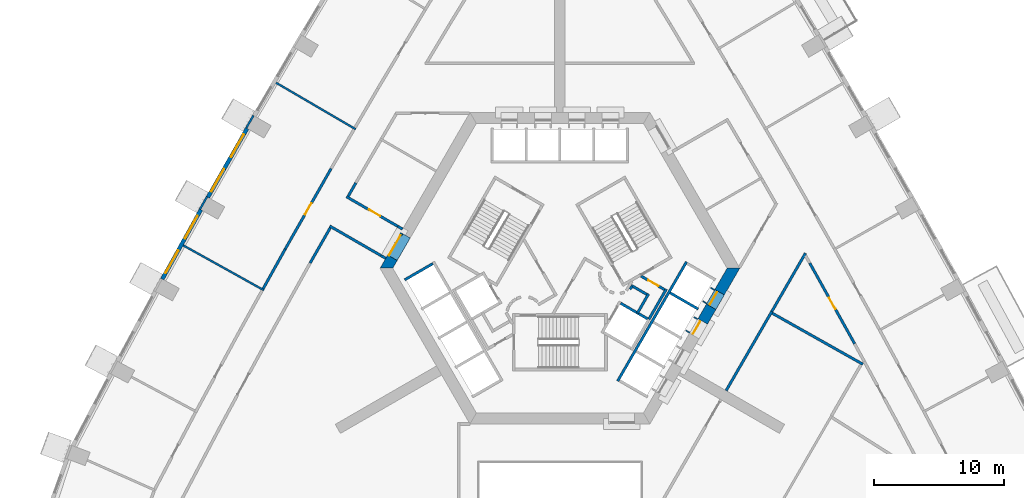
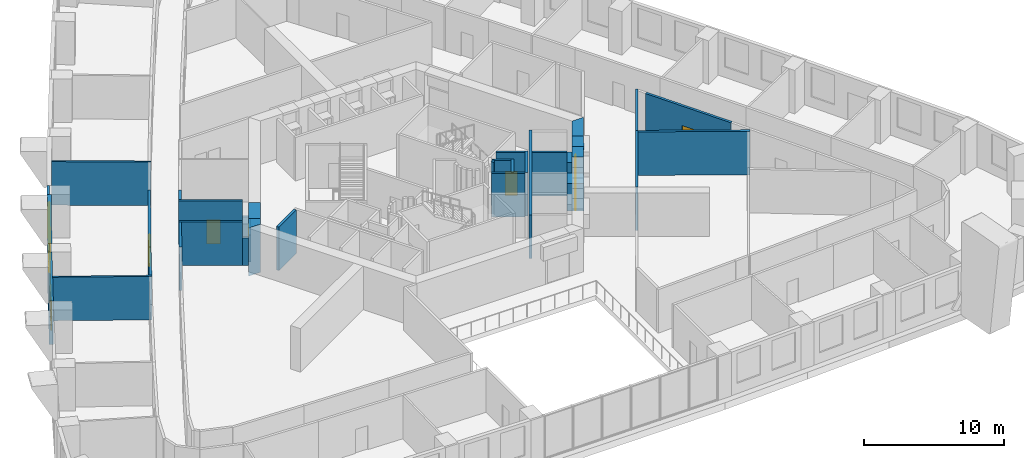
# One storey, part 7 of 15: 35 walls, 7 doors, 4 windows, 11 openings.
"""IFC4 building model written with IfcOpenShell, lengths in metres."""

from ifc_helpers import new_model, si_unit, direction, frame, frame_2d, origin, place, context, subcontext, project, spatial, polyline, rectangle, outline, extrude, material, layer, layer_set, type_object, element, fill, save


model = new_model("IFC4")

# Units and contexts
model_context = context("Model", 3, precision=1e-05, world=origin(), true_north=direction((0.0, 1.0)))
body_context = subcontext(model_context, "Body", "Model", "MODEL_VIEW")
ifc_project = project(units=[si_unit("LENGTHUNIT", "METRE"), si_unit("AREAUNIT", "SQUARE_METRE"), si_unit("VOLUMEUNIT", "CUBIC_METRE"), si_unit("PLANEANGLEUNIT", "RADIAN"), si_unit("MASSUNIT", "GRAM", prefix="KILO")], contexts=[model_context])

# Site, building, storey
site_placement = place(None, origin())
site = spatial("IfcSite", under=ifc_project, at=site_placement, CompositionType="ELEMENT")
building_placement = place(site_placement, origin())
building = spatial("IfcBuilding", under=site, at=building_placement, Name="Entoto Arch Interchange Tower", CompositionType="ELEMENT")
storey_placement = place(building_placement, frame((0.0, 0.0, 124.39990234375)))
storey = spatial("IfcBuildingStorey", under=building, at=storey_placement, Name="L27", CompositionType="ELEMENT", Elevation=124.39990234375)

# Wall, opening, door
ifc_material_1 = material(Name="Reinforced concrete C40/50", Category="concrete")
ifc_layer_1 = layer(ifc_material_1, 0.199951171875)
ifc_layer_set_1 = layer_set([ifc_layer_1], Name="Reinforced concrete C40/50")
wall_type_1 = type_object("IfcWallType", Name="CORE GAP INFILL WALL", PredefinedType="PARTITIONING", material=ifc_layer_set_1)
wall_1_placement = place(storey_placement, frame((-12.179931640625, 5.201904296875, 0.0), z_axis=(0.0, 0.0, 1.0), x_axis=(-0.50002537861, -0.866010750942, 0.0)))
wall_1 = element("IfcWall", 1, at=wall_1_placement, inside=storey, type_object=wall_type_1, Name="wall:L27:gap3", PredefinedType="PARTITIONING", context=body_context, shape_type="SweptSolid", body=[
    extrude(rectangle(XDim=2.0, YDim=0.199951171875, at=frame_2d((1.0, 0.0))), origin(), (0.0, 0.0, 1.0), 2.400146484375),
])
opening_1_placement = place(wall_1_placement, frame((0.18994140625, 0.0, 0.0)))
opening_1 = element("IfcOpeningElement", 2, at=opening_1_placement, cuts=wall_1, Name="Opening L27-D93", PredefinedType="OPENING", context=body_context, shape_type="SweptSolid", body=[
    extrude(rectangle(XDim=1.800048828125, YDim=2.10009765625, at=frame_2d((0.89990234375, 1.050048828125))), frame((0.0, 0.10986328125, 0.0), z_axis=(0.0, -1.0, 0.0), x_axis=(1.0, 0.0, 0.0)), (0.0, 0.0, 1.0), 0.219970703125),
])
ifc_material_2 = material(Name="Fire-rated Steel S235 door and frame", Category="steel")
door_type_1 = type_object("IfcDoorType", Name="DOOR FD-18 1800x2100", OperationType="DOUBLE_DOOR_SINGLE_SWING", PredefinedType="DOOR", material=ifc_material_2)
door_1_placement = place(opening_1_placement, origin())
door_1 = element("IfcDoor", 3, at=door_1_placement, inside=storey, type_object=door_type_1, Name="door:L27:gap3", OperationType="DOUBLE_DOOR_SINGLE_SWING", OverallHeight=2.10009765625, OverallWidth=1.800048828125, PredefinedType="DOOR", context=body_context, shape_type="SweptSolid", body=[
    extrude(rectangle(XDim=1.800048828125, YDim=2.10009765625, at=frame_2d((0.89990234375, 1.050048828125))), frame((0.0, 0.02490234375, 0.0), z_axis=(0.0, -1.0, 0.0), x_axis=(1.0, 0.0, 0.0)), (0.0, 0.0, 1.0), 0.050048828125),
])
fill(opening_1, door_1)

# Walls
ifc_material_3 = material(Name="Concrete C60/75", Category="concrete")
ifc_layer_2 = layer(ifc_material_3, 0.85009765625)
ifc_layer_set_2 = layer_set([ifc_layer_2], Name="Concrete C60/75")
wall_type_2 = type_object("IfcWallType", Name="Core wall 850 C60/75", PredefinedType="SHEAR", material=ifc_layer_set_2)
wall_2_placement = place(storey_placement, frame((0.0, 0.0, -0.39990234375)))
element("IfcWall", 4, at=wall_2_placement, inside=storey, type_object=wall_type_2, Name="Core wall NW L27", PredefinedType="SHEAR", context=body_context, shape_type="SweptSolid", body=[
    extrude(outline(polyline([(-12.531005859375, 3.094970703125), (-13.26708984375, 3.52001953125), (-13.85595703125, 2.5), (-12.875, 2.5), (-12.531005859375, 3.094970703125)])), origin(), (0.0, 0.0, 1.0), 4.199951171875),
])
wall_3_placement = place(storey_placement, frame((0.0, 0.0, 3.60009765625)))
element("IfcWall", 5, at=wall_3_placement, inside=storey, type_object=wall_type_2, Name="Core wall lintel NW L27", PredefinedType="SHEAR", context=body_context, shape_type="SweptSolid", body=[
    extrude(outline(polyline([(-13.26708984375, 3.52001953125), (-12.531005859375, 3.094970703125), (-11.531005859375, 4.826904296875), (-12.26708984375, 5.251953125), (-13.26708984375, 3.52001953125)])), origin(), (0.0, 0.0, 1.0), 0.199951171875),
])
wall_4_placement = place(storey_placement, frame((0.0, 0.0, -0.39990234375)))
element("IfcWall", 6, at=wall_4_placement, inside=storey, type_object=wall_type_2, Name="Core wall SE L27", PredefinedType="SHEAR", context=body_context, shape_type="SweptSolid", body=[
    extrude(outline(polyline([(12.01708984375, -0.68603515625), (11.281005859375, -0.260986328125), (10.631103515625, -1.385986328125), (11.366943359375, -1.81103515625), (12.01708984375, -0.68603515625)])), origin(), (0.0, 0.0, 1.0), 4.199951171875),
])
wall_5_placement = place(storey_placement, frame((0.0, 0.0, -0.39990234375)))
element("IfcWall", 7, at=wall_5_placement, inside=storey, type_object=wall_type_2, Name="Core wall SE L27", PredefinedType="SHEAR", context=body_context, shape_type="SweptSolid", body=[
    extrude(outline(polyline([(11.930908203125, 0.864990234375), (12.6669921875, 0.43994140625), (13.85595703125, 2.5), (12.875, 2.5), (11.930908203125, 0.864990234375)])), origin(), (0.0, 0.0, 1.0), 4.199951171875),
])
wall_6_placement = place(storey_placement, frame((0.0, 0.0, 3.60009765625)))
element("IfcWall", 8, at=wall_6_placement, inside=storey, type_object=wall_type_2, Name="Core wall lintel SE L27", PredefinedType="SHEAR", context=body_context, shape_type="SweptSolid", body=[
    extrude(outline(polyline([(12.6669921875, 0.43994140625), (11.930908203125, 0.864990234375), (11.281005859375, -0.260986328125), (12.01708984375, -0.68603515625), (12.6669921875, 0.43994140625)])), origin(), (0.0, 0.0, 1.0), 0.199951171875),
])

# Wall, opening, door
ifc_material_4 = material(Name="Concrete C40/50", Category="concrete")
ifc_layer_3 = layer(ifc_material_4, 1.199951171875)
ifc_layer_set_3 = layer_set([ifc_layer_3], Name="Concrete C40/50")
wall_type_3 = type_object("IfcWallType", Name="LIFT LANDING INFILL WALL", PredefinedType="STANDARD", material=ifc_layer_set_3)
wall_7_placement = place(storey_placement, frame((10.197998046875, -2.636962890625, 0.0), z_axis=(0.0, 0.0, 1.0), x_axis=(0.49989585183, 0.866085525409, 0.0)))
wall_7 = element("IfcWall", 9, at=wall_7_placement, inside=storey, type_object=wall_type_3, Name="Lift landing infill wall LR7 L27", PredefinedType="STANDARD", context=body_context, shape_type="SweptSolid", body=[
    extrude(rectangle(XDim=1.300048828125, YDim=1.199951171875, at=frame_2d((0.64990234375, 0.0))), origin(), (0.0, 0.0, 1.0), 2.400146484375),
])
opening_2_placement = place(wall_7_placement, frame((0.10009765625, 0.0, 0.0)))
opening_2 = element("IfcOpeningElement", 10, at=opening_2_placement, cuts=wall_7, Name="Opening LD-LR7-L27", PredefinedType="OPENING", context=body_context, shape_type="SweptSolid", body=[
    extrude(rectangle(XDim=1.10009765625, YDim=2.300048828125, at=frame_2d((0.550048828125, 1.14990234375))), frame((0.0, 0.60986328125, 0.0), z_axis=(0.0, -1.0, 0.0), x_axis=(1.0, 0.0, 0.0)), (0.0, 0.0, 1.0), 1.219970703125),
])
ifc_material_5 = material(Name="Stainless steel 1.4301 panels", Category="steel")
door_type_2 = type_object("IfcDoorType", Name="LIFT LANDING DOOR LD2 1100x2300", OperationType="SLIDING_TO_LEFT", PredefinedType="DOOR", material=ifc_material_5)
door_2_placement = place(opening_2_placement, origin())
door_2 = element("IfcDoor", 11, at=door_2_placement, inside=storey, type_object=door_type_2, Name="Lift landing door LR7 L27", OperationType="SLIDING_TO_LEFT", OverallHeight=2.300048828125, OverallWidth=1.10009765625, PredefinedType="DOOR", context=body_context, shape_type="SweptSolid", body=[
    extrude(rectangle(XDim=1.10009765625, YDim=2.300048828125, at=frame_2d((0.550048828125, 1.14990234375))), frame((0.0, 0.02490234375, 0.0), z_axis=(0.0, -1.0, 0.0), x_axis=(1.0, 0.0, 0.0)), (0.0, 0.0, 1.0), 0.050048828125),
])
fill(opening_2, door_2)

wall_8_placement = place(storey_placement, frame((11.498046875, -0.385009765625, 0.0), z_axis=(0.0, 0.0, 1.0), x_axis=(0.500221244143, 0.865897630733, 0.0)))
wall_8 = element("IfcWall", 12, at=wall_8_placement, inside=storey, type_object=wall_type_3, Name="Lift landing infill wall LR8 L27", PredefinedType="STANDARD", context=body_context, shape_type="SweptSolid", body=[
    extrude(rectangle(XDim=1.29931640625, YDim=1.199951171875, at=frame_2d((0.649658203125, 0.0))), origin(), (0.0, 0.0, 1.0), 2.400146484375),
])
opening_3_placement = place(wall_8_placement, frame((0.10009765625, 0.0, 0.0)))
opening_3 = element("IfcOpeningElement", 13, at=opening_3_placement, cuts=wall_8, Name="Opening LD-LR8-L27", PredefinedType="OPENING", context=body_context, shape_type="SweptSolid", body=[
    extrude(rectangle(XDim=1.10009765625, YDim=2.300048828125, at=frame_2d((0.550048828125, 1.14990234375))), frame((0.0, 0.60986328125, 0.0), z_axis=(0.0, -1.0, 0.0), x_axis=(1.0, 0.0, 0.0)), (0.0, 0.0, 1.0), 1.219970703125),
])
door_3_placement = place(opening_3_placement, origin())
door_3 = element("IfcDoor", 14, at=door_3_placement, inside=storey, type_object=door_type_2, Name="Lift landing door LR8 L27", OperationType="SLIDING_TO_LEFT", OverallHeight=2.300048828125, OverallWidth=1.10009765625, PredefinedType="DOOR", context=body_context, shape_type="SweptSolid", body=[
    extrude(rectangle(XDim=1.10009765625, YDim=2.300048828125, at=frame_2d((0.550048828125, 1.14990234375))), frame((0.0, 0.02490234375, 0.0), z_axis=(0.0, -1.0, 0.0), x_axis=(1.0, 0.0, 0.0)), (0.0, 0.0, 1.0), 0.050048828125),
])
fill(opening_3, door_3)

# Walls
ifc_layer_4 = layer(ifc_material_4, 0.199951171875)
ifc_layer_set_4 = layer_set([ifc_layer_4], Name="Concrete C40/50")
wall_type_4 = type_object("IfcWallType", Name="LIFT SHAFT WALL 200", PredefinedType="STANDARD", material=ifc_layer_set_4)
wall_9_placement = place(storey_placement, frame((-9.7880859375, 2.85302734375, 0.0), z_axis=(0.0, 0.0, 1.0), x_axis=(-0.865998541277, -0.500046524342, 0.0)))
element("IfcWall", 15, at=wall_9_placement, inside=storey, type_object=wall_type_4, Name="Shaft wall SW3 cross 1", PredefinedType="STANDARD", context=body_context, shape_type="SweptSolid", body=[
    extrude(rectangle(XDim=2.499755859375, YDim=0.199951171875, at=frame_2d((1.25, 0.0))), origin(), (0.0, 0.0, 1.0), 3.800048828125),
])
wall_10_placement = place(storey_placement, frame((4.677001953125, -0.199951171875, 0.0), z_axis=(0.0, 0.0, 1.0), x_axis=(0.865973769406, -0.500089422704, 0.0)))
element("IfcWall", 16, at=wall_10_placement, inside=storey, type_object=wall_type_4, Name="Shaft wall SE1 cross 2", PredefinedType="STANDARD", context=body_context, shape_type="SweptSolid", body=[
    extrude(rectangle(XDim=2.3994140625, YDim=0.199951171875, at=frame_2d((1.19970703125, 0.0))), origin(), (0.0, 0.0, 1.0), 3.800048828125),
])
wall_11_placement = place(storey_placement, frame((4.450927734375, -6.18994140625, 0.0), z_axis=(0.0, 0.0, 1.0), x_axis=(0.50000090737, 0.866024879913, 0.0)))
element("IfcWall", 17, at=wall_11_placement, inside=storey, type_object=wall_type_4, Name="Shaft wall SE3 front", PredefinedType="STANDARD", context=body_context, shape_type="SweptSolid", body=[
    extrude(rectangle(XDim=10.60009765625, YDim=0.199951171875, at=frame_2d((5.300048828125, 0.0))), origin(), (0.0, 0.0, 1.0), 3.800048828125),
])
wall_12_placement = place(storey_placement, frame((8.488037109375, 0.60205078125, 0.0), z_axis=(0.0, 0.0, 1.0), x_axis=(0.866022959057, -0.500004234368, 0.0)))
element("IfcWall", 18, at=wall_12_placement, inside=storey, type_object=wall_type_4, Name="Shaft wall SE3 cross 4", PredefinedType="STANDARD", context=body_context, shape_type="SweptSolid", body=[
    extrude(rectangle(XDim=2.5, YDim=0.199951171875, at=frame_2d((1.25, 0.0))), origin(), (0.0, 0.0, 1.0), 3.800048828125),
])
ifc_material_6 = material(Name="Gypsum board partition on steel studs", Category="steel")
ifc_layer_5 = layer(ifc_material_6, 0.14990234375)
ifc_layer_set_5 = layer_set([ifc_layer_5], Name="Gypsum board partition on steel studs")
wall_type_5 = type_object("IfcWallType", Name="PARTITION 150", PredefinedType="PARTITIONING", material=ifc_layer_set_5)
wall_13_placement = place(storey_placement, frame((-15.736083984375, 13.20703125, 0.0), z_axis=(0.0, 0.0, 1.0), x_axis=(-0.863454426155, 0.504426856892, 0.0)))
element("IfcWall", 19, at=wall_13_placement, inside=storey, type_object=wall_type_5, Name="wall:L27:p147", PredefinedType="PARTITIONING", context=body_context, shape_type="SweptSolid", body=[
    extrude(rectangle(XDim=7.099365234375, YDim=0.14990234375, at=frame_2d((3.5498046875, 0.0))), origin(), (0.0, 0.0, 1.0), 3.800048828125),
])
wall_14_placement = place(storey_placement, frame((-22.80810546875, 0.80810546875, 0.0), z_axis=(0.0, 0.0, 1.0), x_axis=(-0.873839159938, 0.486215099066, 0.0)))
element("IfcWall", 20, at=wall_14_placement, inside=storey, type_object=wall_type_5, Name="wall:L27:p148", PredefinedType="PARTITIONING", context=body_context, shape_type="SweptSolid", body=[
    extrude(rectangle(XDim=7.099609375, YDim=0.14990234375, at=frame_2d((3.5498046875, 0.0))), origin(), (0.0, 0.0, 1.0), 3.800048828125),
])
ifc_layer_6 = layer(ifc_material_6, 0.199951171875)
ifc_layer_set_6 = layer_set([ifc_layer_6], Name="Gypsum board partition on steel studs")
wall_type_6 = type_object("IfcWallType", Name="PARTITION 200", PredefinedType="PARTITIONING", material=ifc_layer_set_6)
wall_15_placement = place(storey_placement, frame((-15.717041015625, 9.074951171875, 0.0), z_axis=(0.0, 0.0, 1.0), x_axis=(-0.495695496657, -0.868496387208, 0.0)))
element("IfcWall", 21, at=wall_15_placement, inside=storey, type_object=wall_type_6, Name="wall:L27:p003", PredefinedType="PARTITIONING", context=body_context, shape_type="SweptSolid", body=[
    extrude(rectangle(XDim=1.18603515625, YDim=0.199951171875, at=frame_2d((0.593017578125, 0.0))), origin(), (0.0, 0.0, 1.0), 3.800048828125),
])

# Wall, opening, door
wall_16_placement = place(storey_placement, frame((-16.44091796875, 8.008056640625, 0.0), z_axis=(0.0, 0.0, 1.0), x_axis=(0.866020923391, -0.500007760188, 0.0)))
wall_16 = element("IfcWall", 22, at=wall_16_placement, inside=storey, type_object=wall_type_6, Name="wall:L27:p004", PredefinedType="PARTITIONING", context=body_context, shape_type="SweptSolid", body=[
    extrude(rectangle(XDim=4.56787109375, YDim=0.199951171875, at=frame_2d((2.283935546875, 0.0))), origin(), (0.0, 0.0, 1.0), 3.800048828125),
])
opening_4_placement = place(wall_16_placement, frame((1.9970703125, 0.0, 0.0)))
opening_4 = element("IfcOpeningElement", 23, at=opening_4_placement, cuts=wall_16, Name="Opening L27-D32", PredefinedType="OPENING", context=body_context, shape_type="SweptSolid", body=[
    extrude(rectangle(XDim=1.0, YDim=2.10009765625, at=frame_2d((0.5, 1.050048828125))), frame((0.0, 0.10986328125, 0.0), z_axis=(0.0, -1.0, 0.0), x_axis=(1.0, 0.0, 0.0)), (0.0, 0.0, 1.0), 0.219970703125),
])
ifc_material_7 = material(Name="Timber door leaf in Steel S235 frame", Category="steel")
door_type_3 = type_object("IfcDoorType", Name="DOOR DS-10 1000x2100", OperationType="SINGLE_SWING_LEFT", PredefinedType="DOOR", material=ifc_material_7)
door_4_placement = place(opening_4_placement, origin())
door_4 = element("IfcDoor", 24, at=door_4_placement, inside=storey, type_object=door_type_3, Name="door:L27:32", OperationType="SINGLE_SWING_LEFT", OverallHeight=2.10009765625, OverallWidth=1.0, PredefinedType="DOOR", context=body_context, shape_type="SweptSolid", body=[
    extrude(rectangle(XDim=1.0, YDim=2.10009765625, at=frame_2d((0.5, 1.050048828125))), frame((0.0, 0.02490234375, 0.0), z_axis=(0.0, -1.0, 0.0), x_axis=(1.0, 0.0, 0.0)), (0.0, 0.0, 1.0), 0.050048828125),
])
fill(opening_4, door_4)

wall_17_placement = place(storey_placement, frame((22.701904296875, -3.321044921875, 0.0), z_axis=(0.0, 0.0, 1.0), x_axis=(-0.486304341235, 0.873789498504, 0.0)))
wall_17 = element("IfcWall", 25, at=wall_17_placement, inside=storey, type_object=wall_type_6, Name="wall:L27:p023", PredefinedType="PARTITIONING", context=body_context, shape_type="SweptSolid", body=[
    extrude(rectangle(XDim=7.11279296875, YDim=0.199951171875, at=frame_2d((3.556396484375, 0.0))), origin(), (0.0, 0.0, 1.0), 3.800048828125),
])
opening_5_placement = place(wall_17_placement, frame((3.056884765625, 0.0, 0.0)))
opening_5 = element("IfcOpeningElement", 26, at=opening_5_placement, cuts=wall_17, Name="Opening L27-D23", PredefinedType="OPENING", context=body_context, shape_type="SweptSolid", body=[
    extrude(rectangle(XDim=1.0, YDim=2.10009765625, at=frame_2d((0.5, 1.050048828125))), frame((0.0, 0.10986328125, 0.0), z_axis=(0.0, -1.0, 0.0), x_axis=(1.0, 0.0, 0.0)), (0.0, 0.0, 1.0), 0.219970703125),
])
door_5_placement = place(opening_5_placement, origin())
door_5 = element("IfcDoor", 27, at=door_5_placement, inside=storey, type_object=door_type_3, Name="door:L27:23", OperationType="SINGLE_SWING_LEFT", OverallHeight=2.10009765625, OverallWidth=1.0, PredefinedType="DOOR", context=body_context, shape_type="SweptSolid", body=[
    extrude(rectangle(XDim=1.0, YDim=2.10009765625, at=frame_2d((0.5, 1.050048828125))), frame((0.0, 0.02490234375, 0.0), z_axis=(0.0, -1.0, 0.0), x_axis=(1.0, 0.0, 0.0)), (0.0, 0.0, 1.0), 0.050048828125),
])
fill(opening_5, door_5)

# Walls
wall_18_placement = place(storey_placement, frame((-13.4169921875, 3.260009765625, 0.0), z_axis=(0.0, 0.0, 1.0), x_axis=(-0.865544229481, 0.500832493767, 0.0)))
element("IfcWall", 28, at=wall_18_placement, inside=storey, type_object=wall_type_6, Name="wall:L27:p032", PredefinedType="PARTITIONING", context=body_context, shape_type="SweptSolid", body=[
    extrude(rectangle(XDim=0.425048828125, YDim=0.199951171875, at=frame_2d((0.21240234375, 0.0))), origin(), (0.0, 0.0, 1.0), 2.400146484375),
])
wall_19_placement = place(storey_placement, frame((-17.69189453125, 5.613037109375, 0.0), z_axis=(0.0, 0.0, 1.0), x_axis=(-0.495492055461, -0.868612469963, 0.0)))
element("IfcWall", 29, at=wall_19_placement, inside=storey, type_object=wall_type_6, Name="wall:L27:p033", PredefinedType="PARTITIONING", context=body_context, shape_type="SweptSolid", body=[
    extrude(rectangle(XDim=3.13037109375, YDim=0.199951171875, at=frame_2d((1.565185546875, 0.0))), origin(), (0.0, 0.0, 1.0), 3.800048828125),
])
wall_20_placement = place(storey_placement, frame((-22.85888671875, 0.922119140625, 0.0), z_axis=(0.0, 0.0, 1.0), x_axis=(0.486390484578, 0.873741550181, 0.0)))
element("IfcWall", 30, at=wall_20_placement, inside=storey, type_object=wall_type_6, Name="wall:L27:p071", PredefinedType="PARTITIONING", context=body_context, shape_type="SweptSolid", body=[
    extrude(rectangle(XDim=3.492919921875, YDim=0.199951171875, at=frame_2d((1.74658203125, 0.0))), origin(), (0.0, 0.0, 1.0), 3.800048828125),
])

# Wall, opening, door
wall_21_placement = place(storey_placement, frame((-21.159912109375, 3.97412109375, 0.0), z_axis=(0.0, 0.0, 1.0), x_axis=(0.495450054309, 0.868636427791, 0.0)))
wall_21 = element("IfcWall", 31, at=wall_21_placement, inside=storey, type_object=wall_type_6, Name="wall:L27:p072", PredefinedType="PARTITIONING", context=body_context, shape_type="SweptSolid", body=[
    extrude(rectangle(XDim=7.138671875, YDim=0.199951171875, at=frame_2d((3.5693359375, 0.0))), origin(), (0.0, 0.0, 1.0), 3.800048828125),
])
opening_6_placement = place(wall_21_placement, frame((3.069091796875, 0.0, 0.0)))
opening_6 = element("IfcOpeningElement", 32, at=opening_6_placement, cuts=wall_21, Name="Opening L27-D16", PredefinedType="OPENING", context=body_context, shape_type="SweptSolid", body=[
    extrude(rectangle(XDim=1.0, YDim=2.10009765625, at=frame_2d((0.5, 1.050048828125))), frame((0.0, 0.10986328125, 0.0), z_axis=(0.0, -1.0, 0.0), x_axis=(1.0, 0.0, 0.0)), (0.0, 0.0, 1.0), 0.219970703125),
])
door_6_placement = place(opening_6_placement, origin())
door_6 = element("IfcDoor", 33, at=door_6_placement, inside=storey, type_object=door_type_3, Name="door:L27:16", OperationType="SINGLE_SWING_LEFT", OverallHeight=2.10009765625, OverallWidth=1.0, PredefinedType="DOOR", context=body_context, shape_type="SweptSolid", body=[
    extrude(rectangle(XDim=1.0, YDim=2.10009765625, at=frame_2d((0.5, 1.050048828125))), frame((0.0, 0.02490234375, 0.0), z_axis=(0.0, -1.0, 0.0), x_axis=(1.0, 0.0, 0.0)), (0.0, 0.0, 1.0), 0.050048828125),
])
fill(opening_6, door_6)

# Walls
wall_22_placement = place(storey_placement, frame((5.389892578125, 0.89794921875, 0.0), z_axis=(0.0, 0.0, 1.0), x_axis=(0.673828488714, 0.738887791073, 0.0)))
element("IfcWall", 34, at=wall_22_placement, inside=storey, type_object=wall_type_6, Name="wall:L27:p084", PredefinedType="PARTITIONING", context=body_context, shape_type="SweptSolid", body=[
    extrude(rectangle(XDim=0.2626953125, YDim=0.199951171875, at=frame_2d((0.13134765625, 0.0))), origin(), (0.0, 0.0, 1.0), 3.800048828125),
])
wall_23_placement = place(storey_placement, frame((5.4990234375, 1.172119140625, 0.0), z_axis=(0.0, 0.0, 1.0), x_axis=(0.866333505267, -0.499465972466, 0.0)))
element("IfcWall", 35, at=wall_23_placement, inside=storey, type_object=wall_type_6, Name="wall:L27:p085", PredefinedType="PARTITIONING", context=body_context, shape_type="SweptSolid", body=[
    extrude(rectangle(XDim=1.37353515625, YDim=0.199951171875, at=frame_2d((0.686767578125, 0.0))), origin(), (0.0, 0.0, 1.0), 3.800048828125),
])
wall_24_placement = place(storey_placement, frame((6.825927734375, 0.52197265625, 0.0), z_axis=(0.0, 0.0, 1.0), x_axis=(-0.500016722714, -0.866015748706, 0.0)))
element("IfcWall", 36, at=wall_24_placement, inside=storey, type_object=wall_type_6, Name="wall:L27:p086", PredefinedType="PARTITIONING", context=body_context, shape_type="SweptSolid", body=[
    extrude(rectangle(XDim=1.69970703125, YDim=0.199951171875, at=frame_2d((0.849853515625, 0.0))), origin(), (0.0, 0.0, 1.0), 3.800048828125),
])

# Wall, opening, door
wall_25_placement = place(storey_placement, frame((6.25, 1.89404296875, 0.0), z_axis=(0.0, 0.0, 1.0), x_axis=(0.866043184279, -0.499969202016, 0.0)))
wall_25 = element("IfcWall", 37, at=wall_25_placement, inside=storey, type_object=wall_type_6, Name="wall:L27:p087", PredefinedType="PARTITIONING", context=body_context, shape_type="SweptSolid", body=[
    extrude(rectangle(XDim=2.084228515625, YDim=0.199951171875, at=frame_2d((1.0419921875, 0.0))), origin(), (0.0, 0.0, 1.0), 3.800048828125),
])
opening_7_placement = place(wall_25_placement, frame((0.64208984375, 0.0, 0.0)))
opening_7 = element("IfcOpeningElement", 38, at=opening_7_placement, cuts=wall_25, Name="Opening L27-D37", PredefinedType="OPENING", context=body_context, shape_type="SweptSolid", body=[
    extrude(rectangle(XDim=0.89990234375, YDim=2.10009765625, at=frame_2d((0.449951171875, 1.050048828125))), frame((0.0, 0.10986328125, 0.0), z_axis=(0.0, -1.0, 0.0), x_axis=(1.0, 0.0, 0.0)), (0.0, 0.0, 1.0), 0.219970703125),
])
door_type_4 = type_object("IfcDoorType", Name="DOOR DS-09 900x2100", OperationType="SINGLE_SWING_LEFT", PredefinedType="DOOR", material=ifc_material_7)
door_7_placement = place(opening_7_placement, origin())
door_7 = element("IfcDoor", 39, at=door_7_placement, inside=storey, type_object=door_type_4, Name="door:L27:37", OperationType="SINGLE_SWING_LEFT", OverallHeight=2.10009765625, OverallWidth=0.89990234375, PredefinedType="DOOR", context=body_context, shape_type="SweptSolid", body=[
    extrude(rectangle(XDim=0.89990234375, YDim=2.10009765625, at=frame_2d((0.449951171875, 1.050048828125))), frame((0.0, 0.02490234375, 0.0), z_axis=(0.0, -1.0, 0.0), x_axis=(1.0, 0.0, 0.0)), (0.0, 0.0, 1.0), 0.050048828125),
])
fill(opening_7, door_7)

# Walls
wall_26_placement = place(storey_placement, frame((8.19189453125, 0.887939453125, 0.0), z_axis=(0.0, 0.0, 1.0), x_axis=(-0.499940625693, -0.866059680843, 0.0)))
element("IfcWall", 40, at=wall_26_placement, inside=storey, type_object=wall_type_6, Name="wall:L27:p088", PredefinedType="PARTITIONING", context=body_context, shape_type="SweptSolid", body=[
    extrude(rectangle(XDim=2.679931640625, YDim=0.199951171875, at=frame_2d((1.33984375, 0.0))), origin(), (0.0, 0.0, 1.0), 3.800048828125),
])
wall_27_placement = place(storey_placement, frame((16.320068359375, -0.83203125, 0.0), z_axis=(0.0, 0.0, 1.0), x_axis=(-0.499951642806, -0.866053321023, 0.0)))
element("IfcWall", 41, at=wall_27_placement, inside=storey, type_object=wall_type_6, Name="wall:L27:p122", PredefinedType="PARTITIONING", context=body_context, shape_type="SweptSolid", body=[
    extrude(rectangle(XDim=7.038818359375, YDim=0.199951171875, at=frame_2d((3.51953125, 0.0))), origin(), (0.0, 0.0, 1.0), 3.800048828125),
])
wall_28_placement = place(storey_placement, frame((18.909912109375, 3.653076171875, 0.0), z_axis=(0.0, 0.0, 1.0), x_axis=(-0.500052967229, -0.865994820981, 0.0)))
element("IfcWall", 42, at=wall_28_placement, inside=storey, type_object=wall_type_6, Name="wall:L27:p123", PredefinedType="PARTITIONING", context=body_context, shape_type="SweptSolid", body=[
    extrude(rectangle(XDim=5.17919921875, YDim=0.199951171875, at=frame_2d((2.589599609375, 0.0))), origin(), (0.0, 0.0, 1.0), 3.800048828125),
])
wall_29_placement = place(storey_placement, frame((16.27001953125, -0.9189453125, 0.0), z_axis=(0.0, 0.0, 1.0), x_axis=(0.871308980511, -0.490734816863, 0.0)))
element("IfcWall", 43, at=wall_29_placement, inside=storey, type_object=wall_type_6, Name="wall:L27:p129", PredefinedType="PARTITIONING", context=body_context, shape_type="SweptSolid", body=[
    extrude(rectangle(XDim=8.100341796875, YDim=0.199951171875, at=frame_2d((4.05029296875, 0.0))), origin(), (0.0, 0.0, 1.0), 3.800048828125),
])
wall_30_placement = place(storey_placement, frame((-12.485107421875, 5.72412109375, 0.0), z_axis=(0.0, 0.0, 1.0), x_axis=(0.866434177787, -0.499291313327, 0.0)))
element("IfcWall", 44, at=wall_30_placement, inside=storey, type_object=wall_type_6, Name="wall:L27:p004", PredefinedType="PARTITIONING", context=body_context, shape_type="SweptSolid", body=[
    extrude(rectangle(XDim=0.4248046875, YDim=0.199951171875, at=frame_2d((0.21240234375, 0.0))), origin(), (0.0, 0.0, 1.0), 2.400146484375),
])
wall_31_placement = place(storey_placement, frame((-13.784912109375, 3.472900390625, 0.0), z_axis=(0.0, 0.0, 1.0), x_axis=(-0.866081168121, 0.499903400895, 0.0)))
element("IfcWall", 45, at=wall_31_placement, inside=storey, type_object=wall_type_6, Name="wall:L27:p032", PredefinedType="PARTITIONING", context=body_context, shape_type="SweptSolid", body=[
    extrude(rectangle(XDim=4.55517578125, YDim=0.199951171875, at=frame_2d((2.277587890625, 0.0))), origin(), (0.0, 0.0, 1.0), 3.800048828125),
])

# Wall, openings, windows
ifc_material_8 = material(Name="Welded tuff (ignimbrite) cladding, warm buff", Category="masonry")
ifc_layer_7 = layer(ifc_material_8, 0.300048828125)
ifc_layer_set_7 = layer_set([ifc_layer_7], Name="Welded tuff (ignimbrite) cladding, warm buff")
wall_type_7 = type_object("IfcWallType", Name="STONE INFILL WALL 300", PredefinedType="STANDARD", material=ifc_layer_set_7)
wall_32_placement = place(storey_placement, frame((-24.0869140625, 13.27294921875, 0.0), z_axis=(0.0, 0.0, 1.0), x_axis=(-0.495472401298, -0.868623681206, 0.0)))
wall_32 = element("IfcWall", 46, at=wall_32_placement, inside=storey, type_object=wall_type_7, Name="Facade wall NW-05 L27", PredefinedType="STANDARD", context=body_context, shape_type="SweptSolid", body=[
    extrude(rectangle(XDim=6.115478515625, YDim=0.300048828125, at=frame_2d((3.0576171875, 0.0))), origin(), (0.0, 0.0, 1.0), 3.800048828125),
])
opening_8_placement = place(wall_32_placement, frame((0.529052734375, 0.0, 0.89990234375)))
opening_8 = element("IfcOpeningElement", 47, at=opening_8_placement, cuts=wall_32, Name="Opening WO-C", PredefinedType="OPENING", context=body_context, shape_type="SweptSolid", body=[
    extrude(rectangle(XDim=2.0, YDim=2.60009765625, at=frame_2d((1.0, 1.300048828125))), frame((0.0, 0.16015625, 0.0), z_axis=(0.0, -1.0, 0.0), x_axis=(1.0, 0.0, 0.0)), (0.0, 0.0, 1.0), 0.320068359375),
])
opening_9_placement = place(wall_32_placement, frame((3.5869140625, 0.0, 0.89990234375)))
opening_9 = element("IfcOpeningElement", 48, at=opening_9_placement, cuts=wall_32, Name="Opening WO-C", PredefinedType="OPENING", context=body_context, shape_type="SweptSolid", body=[
    extrude(rectangle(XDim=2.0, YDim=2.60009765625, at=frame_2d((1.0, 1.300048828125))), frame((0.0, 0.16015625, 0.0), z_axis=(0.0, -1.0, 0.0), x_axis=(1.0, 0.0, 0.0)), (0.0, 0.0, 1.0), 0.320068359375),
])
ifc_material_9 = material(Name="Clear glass, low-e double glazed", Category="glass")
window_type = type_object("IfcWindowType", Name="WINDOW WO-C 2000x2600", PartitioningType="DOUBLE_PANEL_VERTICAL", PredefinedType="WINDOW", material=ifc_material_9)
window_1_placement = place(opening_8_placement, origin())
window_1 = element("IfcWindow", 49, at=window_1_placement, inside=storey, type_object=window_type, Name="Window WO-C NW-05 L27", OverallHeight=2.60009765625, OverallWidth=2.0, PartitioningType="SINGLE_PANEL", PredefinedType="WINDOW", context=body_context, shape_type="SweptSolid", body=[
    extrude(rectangle(XDim=2.0, YDim=2.60009765625, at=frame_2d((1.0, 1.300048828125))), frame((0.0, 0.030029296875, 0.0), z_axis=(0.0, -1.0, 0.0), x_axis=(1.0, 0.0, 0.0)), (0.0, 0.0, 1.0), 0.06005859375),
])
fill(opening_8, window_1)
window_2_placement = place(opening_9_placement, origin())
window_2 = element("IfcWindow", 50, at=window_2_placement, inside=storey, type_object=window_type, Name="Window WO-C NW-05 L27", OverallHeight=2.60009765625, OverallWidth=2.0, PartitioningType="SINGLE_PANEL", PredefinedType="WINDOW", context=body_context, shape_type="SweptSolid", body=[
    extrude(rectangle(XDim=2.0, YDim=2.60009765625, at=frame_2d((1.0, 1.300048828125))), frame((0.0, 0.030029296875, 0.0), z_axis=(0.0, -1.0, 0.0), x_axis=(1.0, 0.0, 0.0)), (0.0, 0.0, 1.0), 0.06005859375),
])
fill(opening_9, window_2)

wall_33_placement = place(storey_placement, frame((-27.656005859375, 7.0048828125, 0.0), z_axis=(0.0, 0.0, 1.0), x_axis=(-0.486229342917, -0.873831234327, 0.0)))
wall_33 = element("IfcWall", 51, at=wall_33_placement, inside=storey, type_object=wall_type_7, Name="Facade wall NW-06 L27", PredefinedType="STANDARD", context=body_context, shape_type="SweptSolid", body=[
    extrude(rectangle(XDim=6.1142578125, YDim=0.300048828125, at=frame_2d((3.05712890625, 0.0))), origin(), (0.0, 0.0, 1.0), 3.800048828125),
])
opening_10_placement = place(wall_33_placement, frame((0.529052734375, 0.0, 0.89990234375)))
opening_10 = element("IfcOpeningElement", 52, at=opening_10_placement, cuts=wall_33, Name="Opening WO-C", PredefinedType="OPENING", context=body_context, shape_type="SweptSolid", body=[
    extrude(rectangle(XDim=2.0, YDim=2.60009765625, at=frame_2d((1.0, 1.300048828125))), frame((0.0, 0.16015625, 0.0), z_axis=(0.0, -1.0, 0.0), x_axis=(1.0, 0.0, 0.0)), (0.0, 0.0, 1.0), 0.320068359375),
])
opening_11_placement = place(wall_33_placement, frame((3.5859375, 0.0, 0.89990234375)))
opening_11 = element("IfcOpeningElement", 53, at=opening_11_placement, cuts=wall_33, Name="Opening WO-C", PredefinedType="OPENING", context=body_context, shape_type="SweptSolid", body=[
    extrude(rectangle(XDim=2.0, YDim=2.60009765625, at=frame_2d((1.0, 1.300048828125))), frame((0.0, 0.16015625, 0.0), z_axis=(0.0, -1.0, 0.0), x_axis=(1.0, 0.0, 0.0)), (0.0, 0.0, 1.0), 0.320068359375),
])
window_3_placement = place(opening_10_placement, origin())
window_3 = element("IfcWindow", 54, at=window_3_placement, inside=storey, type_object=window_type, Name="Window WO-C NW-06 L27", OverallHeight=2.60009765625, OverallWidth=2.0, PartitioningType="SINGLE_PANEL", PredefinedType="WINDOW", context=body_context, shape_type="SweptSolid", body=[
    extrude(rectangle(XDim=2.0, YDim=2.60009765625, at=frame_2d((1.0, 1.300048828125))), frame((0.0, 0.030029296875, 0.0), z_axis=(0.0, -1.0, 0.0), x_axis=(1.0, 0.0, 0.0)), (0.0, 0.0, 1.0), 0.06005859375),
])
fill(opening_10, window_3)
window_4_placement = place(opening_11_placement, origin())
window_4 = element("IfcWindow", 55, at=window_4_placement, inside=storey, type_object=window_type, Name="Window WO-C NW-06 L27", OverallHeight=2.60009765625, OverallWidth=2.0, PartitioningType="SINGLE_PANEL", PredefinedType="WINDOW", context=body_context, shape_type="SweptSolid", body=[
    extrude(rectangle(XDim=2.0, YDim=2.60009765625, at=frame_2d((1.0, 1.300048828125))), frame((0.0, 0.030029296875, 0.0), z_axis=(0.0, -1.0, 0.0), x_axis=(1.0, 0.0, 0.0)), (0.0, 0.0, 1.0), 0.06005859375),
])
fill(opening_11, window_4)

# Walls
ifc_layer_8 = layer(ifc_material_8, 0.14990234375)
ifc_layer_set_8 = layer_set([ifc_layer_8], Name="Welded tuff (ignimbrite) cladding, warm buff")
wall_type_8 = type_object("IfcWallType", Name="STONE PIER CLADDING 150", PredefinedType="STANDARD", material=ifc_layer_set_8)
wall_34_placement = place(storey_placement, frame((-23.60498046875, 14.263916015625, 0.0), z_axis=(0.0, 0.0, 1.0), x_axis=(-0.499933745558, -0.866063652425, 0.0)))
element("IfcWall", 56, at=wall_34_placement, inside=storey, type_object=wall_type_8, Name="Stone pier NW05 L27", PredefinedType="STANDARD", context=body_context, shape_type="SweptSolid", body=[
    extrude(rectangle(XDim=1.100341796875, YDim=0.14990234375, at=frame_2d((0.55029296875, 0.0))), origin(), (0.0, 0.0, 1.0), 3.800048828125),
])
wall_35_placement = place(storey_placement, frame((-27.18505859375, 8.0009765625, 0.0), z_axis=(0.0, 0.0, 1.0), x_axis=(-0.490008344094, -0.871717742574, 0.0)))
element("IfcWall", 57, at=wall_35_placement, inside=storey, type_object=wall_type_8, Name="Stone pier NW06 L27", PredefinedType="STANDARD", context=body_context, shape_type="SweptSolid", body=[
    extrude(rectangle(XDim=1.10009765625, YDim=0.14990234375, at=frame_2d((0.550048828125, 0.0))), origin(), (0.0, 0.0, 1.0), 3.800048828125),
])

save(model, "model.ifc")
